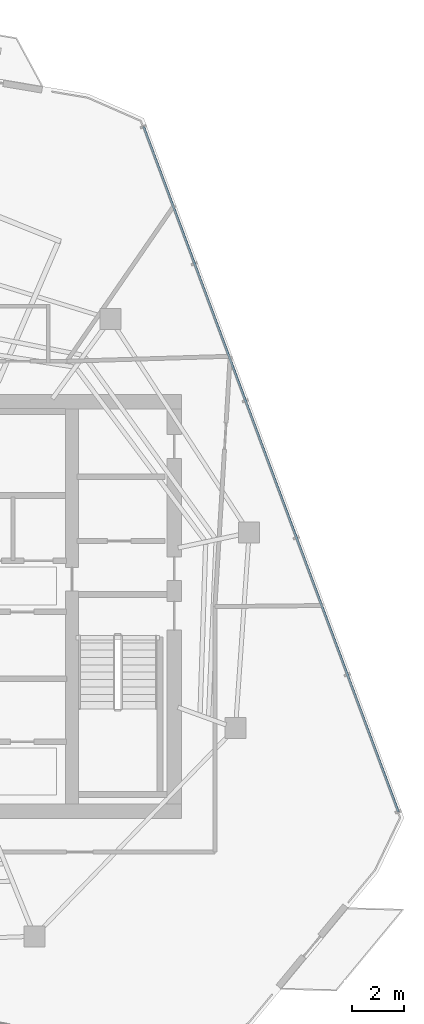
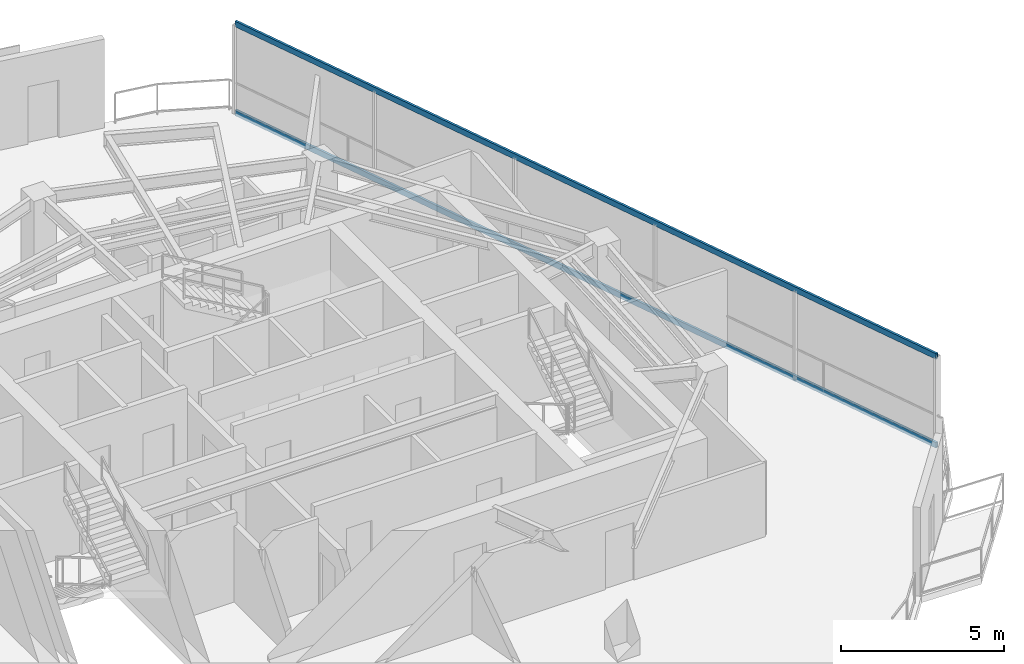
# One storey, part 11 of 19: 2 members, 1 element without a shape of its own.
"""IFC4 building model written with IfcOpenShell, lengths in metres."""

from ifc_helpers import new_model, si_unit, direction, frame, origin, origin_2d, place, context, subcontext, project, spatial, hollow_rectangle, extrude, material, layer, layer_set, material_profile, profile_set, type_object, element, aggregate, save


model = new_model("IFC4")

# Units and contexts
model_context = context("Model", 3, precision=1e-05, world=origin(), true_north=direction((0.0, 1.0)))
body_context = subcontext(model_context, "Body", "Model", "MODEL_VIEW")
ifc_project = project(units=[si_unit("LENGTHUNIT", "METRE"), si_unit("AREAUNIT", "SQUARE_METRE"), si_unit("VOLUMEUNIT", "CUBIC_METRE"), si_unit("PLANEANGLEUNIT", "RADIAN"), si_unit("MASSUNIT", "GRAM", prefix="KILO")], contexts=[model_context])

# Site, building, storey
site_placement = place(None, origin())
site = spatial("IfcSite", under=ifc_project, at=site_placement, CompositionType="ELEMENT")
building_placement = place(site_placement, origin())
building = spatial("IfcBuilding", under=site, at=building_placement, Name="Qarnah Convention Tower", CompositionType="ELEMENT")
storey_placement = place(building_placement, frame((0.0, 0.0, 257.10009765625)))
storey = spatial("IfcBuildingStorey", under=building, at=storey_placement, Name="L69", CompositionType="ELEMENT", Elevation=257.10009765625)

# Curtain wall, members
ifc_material_1 = material(Name="Tempered Low-E dark glass", Category="glass")
ifc_layer = layer(ifc_material_1, 0.176025390625)
ifc_layer_set = layer_set([ifc_layer], Name="Tempered Low-E dark glass")
curtain_wall_type = type_object("IfcCurtainWallType", Name="CWS-05", PredefinedType="NOTDEFINED", material=ifc_layer_set)
curtain_wall_placement = place(storey_placement, origin())
curtain_wall = element("IfcCurtainWall", 1, at=curtain_wall_placement, inside=storey, type_object=curtain_wall_type, Name="L69 unitised curtain wall CW-L69-F2", PredefinedType="NOTDEFINED")
ifc_material_2 = material(Name="Black anodised aluminium", Category="aluminium")
ifc_material_profile = material_profile(ifc_material_2, hollow_rectangle(XDim=0.080078125, YDim=0.2099609375, WallThickness=0.0048828125, at=origin_2d()), Name="TRN-80X210")
ifc_profile_set = profile_set([ifc_material_profile], Name="Black anodised aluminium")
member_type = type_object("IfcMemberType", Name="TRN-T5", PredefinedType="USERDEFINED", material=ifc_profile_set)
member_1_placement = place(storey_placement, frame((46.429931640625, 44.68994140625, 0.0), z_axis=(0.348572545115, -0.937281804364, 0.0), x_axis=(0.937281804364, 0.348572545115, 0.0)))
member_1 = element("IfcMember", 2, at=member_1_placement, type_object=member_type, Name="CW-L69-F2 transom 1", ObjectType="TRANSOM", PredefinedType="USERDEFINED", context=body_context, shape_type="SweptSolid", body=[
    extrude(hollow_rectangle(XDim=0.080078125, YDim=0.2099609375, WallThickness=0.0048828125, at=origin_2d()), origin(), (0.0, 0.0, 1.0), 27.850830078125),
])
member_2_placement = place(storey_placement, frame((46.429931640625, 44.68994140625, 3.31982421875), z_axis=(0.348572545115, -0.937281804364, 0.0), x_axis=(0.937281804364, 0.348572545115, 0.0)))
member_2 = element("IfcMember", 3, at=member_2_placement, type_object=member_type, Name="CW-L69-F2 transom 2", ObjectType="TRANSOM", PredefinedType="USERDEFINED", context=body_context, shape_type="SweptSolid", body=[
    extrude(hollow_rectangle(XDim=0.080078125, YDim=0.2099609375, WallThickness=0.0048828125, at=origin_2d()), origin(), (0.0, 0.0, 1.0), 27.850830078125),
])
aggregate(curtain_wall, [member_1, member_2])

save(model, "model.ifc")
